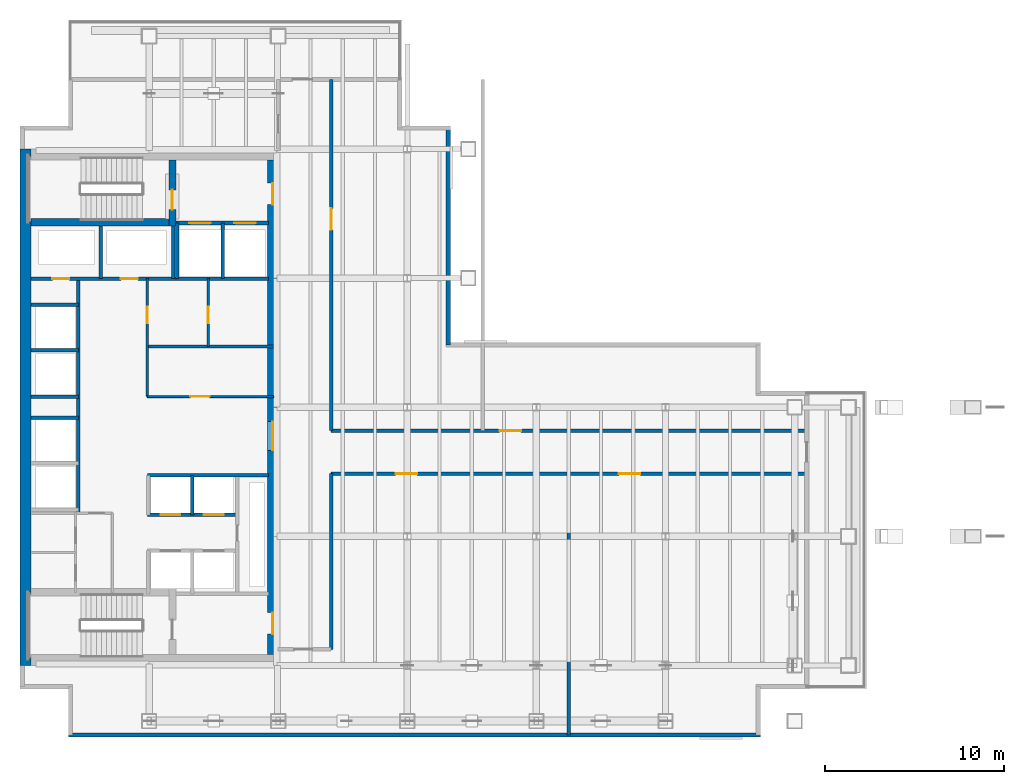
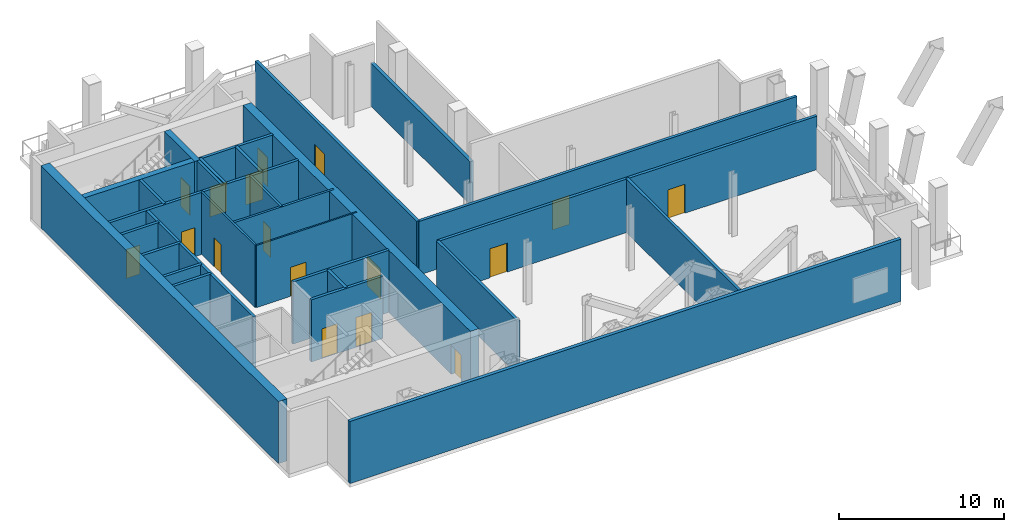
# One storey, part 5 of 8: 30 walls, 17 doors, 17 openings.
"""IFC4 building model written with IfcOpenShell, lengths in metres."""

from ifc_helpers import new_model, si_unit, direction, frame, frame_2d, origin, place, context, subcontext, project, spatial, rectangle, extrude, material, layer, layer_set, type_object, element, fill, save


model = new_model("IFC4")

# Units and contexts
model_context = context("Model", 3, precision=1e-05, world=origin(), true_north=direction((0.0, 1.0)))
body_context = subcontext(model_context, "Body", "Model", "MODEL_VIEW")
ifc_project = project(units=[si_unit("LENGTHUNIT", "METRE"), si_unit("AREAUNIT", "SQUARE_METRE"), si_unit("VOLUMEUNIT", "CUBIC_METRE"), si_unit("PLANEANGLEUNIT", "RADIAN"), si_unit("MASSUNIT", "GRAM", prefix="KILO")], contexts=[model_context])

# Site, building, storey
site_placement = place(None, origin())
site = spatial("IfcSite", under=ifc_project, at=site_placement, CompositionType="ELEMENT")
building_placement = place(site_placement, origin())
building = spatial("IfcBuilding", under=site, at=building_placement, Name="Cobrela Telecom Tower", CompositionType="ELEMENT")
storey_placement = place(building_placement, frame((0.0, 0.0, 163.800048828125)))
storey = spatial("IfcBuildingStorey", under=building, at=storey_placement, Name="L41", CompositionType="ELEMENT", Elevation=163.800048828125)

# Wall
ifc_material_1 = material(Name="Concrete C50/60", Category="concrete")
ifc_layer_1 = layer(ifc_material_1, 0.60009765625)
ifc_layer_set_1 = layer_set([ifc_layer_1], Name="Concrete C50/60")
wall_type_1 = type_object("IfcWallType", Name="WALL-CORE-C50-600", PredefinedType="SHEAR", material=ifc_layer_set_1)
wall_1_placement = place(storey_placement, frame((0.300048828125, 7.199951171875, 0.0), z_axis=(0.0, 0.0, 1.0), x_axis=(0.0, 1.0, 0.0)))
element("IfcWall", 1, at=wall_1_placement, inside=storey, type_object=wall_type_1, Name="L41 West Core Shear Wall", PredefinedType="SHEAR", context=body_context, shape_type="SweptSolid", body=[
    extrude(rectangle(XDim=28.800048828125, YDim=0.60009765625, at=frame_2d((14.39990234375, 0.0))), origin(), (0.0, 0.0, 1.0), 4.599853515625),
])

# Wall, openings, doors
wall_2_placement = place(storey_placement, frame((14.10009765625, 35.39990234375, 0.0), z_axis=(0.0, 0.0, 1.0), x_axis=(0.0, -1.0, 0.0)))
wall_2 = element("IfcWall", 2, at=wall_2_placement, inside=storey, type_object=wall_type_1, Name="L41 East Core Shear Wall", PredefinedType="SHEAR", context=body_context, shape_type="SweptSolid", body=[
    extrude(rectangle(XDim=27.599853515625, YDim=0.60009765625, at=frame_2d((13.7998046875, 0.0))), origin(), (0.0, 0.0, 1.0), 4.599853515625),
])
opening_1_placement = place(wall_2_placement, frame((1.300048828125, 0.0, 0.0)))
opening_1 = element("IfcOpeningElement", 3, at=opening_1_placement, cuts=wall_2, Name="Opening DR-19", PredefinedType="OPENING", context=body_context, shape_type="SweptSolid", body=[
    extrude(rectangle(XDim=1.199951171875, YDim=2.14990234375, at=frame_2d((0.60009765625, 1.074951171875))), frame((0.0, 0.31201171875, 0.0), z_axis=(0.0, -1.0, 0.0), x_axis=(1.0, 0.0, 0.0)), (0.0, 0.0, 1.0), 0.6240234375),
])
opening_2_placement = place(wall_2_placement, frame((25.25, 0.0, 0.0)))
opening_2 = element("IfcOpeningElement", 4, at=opening_2_placement, cuts=wall_2, Name="Opening DR-19", PredefinedType="OPENING", context=body_context, shape_type="SweptSolid", body=[
    extrude(rectangle(XDim=1.199951171875, YDim=2.14990234375, at=frame_2d((0.60009765625, 1.074951171875))), frame((0.0, 0.31201171875, 0.0), z_axis=(0.0, -1.0, 0.0), x_axis=(1.0, 0.0, 0.0)), (0.0, 0.0, 1.0), 0.6240234375),
])
opening_3_placement = place(wall_2_placement, frame((14.60009765625, 0.0, 0.0)))
opening_3 = element("IfcOpeningElement", 5, at=opening_3_placement, cuts=wall_2, Name="Opening DR-51", PredefinedType="OPENING", context=body_context, shape_type="SweptSolid", body=[
    extrude(rectangle(XDim=1.60009765625, YDim=2.199951171875, at=frame_2d((0.800048828125, 1.10009765625))), frame((0.0, 0.31201171875, 0.0), z_axis=(0.0, -1.0, 0.0), x_axis=(1.0, 0.0, 0.0)), (0.0, 0.0, 1.0), 0.6240234375),
])
ifc_material_2 = material(Name="Steel ASTM A36", Category="steel")
door_type_1 = type_object("IfcDoorType", Name="DOOR-FD60-1200", OperationType="SINGLE_SWING_LEFT", PredefinedType="DOOR", material=ifc_material_2)
door_1_placement = place(opening_1_placement, origin())
door_1 = element("IfcDoor", 6, at=door_1_placement, inside=storey, type_object=door_type_1, Name="L41 Door DR-19", OperationType="SINGLE_SWING_LEFT", OverallHeight=2.14990234375, OverallWidth=1.199951171875, PredefinedType="DOOR", context=body_context, shape_type="SweptSolid", body=[
    extrude(rectangle(XDim=1.199951171875, YDim=2.14990234375, at=frame_2d((0.60009765625, 1.074951171875))), frame((0.0, 0.02490234375, 0.0), z_axis=(0.0, -1.0, 0.0), x_axis=(1.0, 0.0, 0.0)), (0.0, 0.0, 1.0), 0.050048828125),
])
fill(opening_1, door_1)
door_2_placement = place(opening_2_placement, origin())
door_2 = element("IfcDoor", 7, at=door_2_placement, inside=storey, type_object=door_type_1, Name="L41 Door DR-19", OperationType="SINGLE_SWING_RIGHT", OverallHeight=2.14990234375, OverallWidth=1.199951171875, PredefinedType="DOOR", context=body_context, shape_type="SweptSolid", body=[
    extrude(rectangle(XDim=1.199951171875, YDim=2.14990234375, at=frame_2d((0.60009765625, 1.074951171875))), frame((0.0, 0.02490234375, 0.0), z_axis=(0.0, -1.0, 0.0), x_axis=(1.0, 0.0, 0.0)), (0.0, 0.0, 1.0), 0.050048828125),
])
fill(opening_2, door_2)
door_type_2 = type_object("IfcDoorType", Name="DOOR-FD60-1600", OperationType="SINGLE_SWING_LEFT", PredefinedType="DOOR", material=ifc_material_2)
door_3_placement = place(opening_3_placement, origin())
door_3 = element("IfcDoor", 8, at=door_3_placement, inside=storey, type_object=door_type_2, Name="L41 Door DR-51", OperationType="DOUBLE_DOOR_SINGLE_SWING", OverallHeight=2.199951171875, OverallWidth=1.60009765625, PredefinedType="DOOR", context=body_context, shape_type="SweptSolid", body=[
    extrude(rectangle(XDim=1.60009765625, YDim=2.199951171875, at=frame_2d((0.800048828125, 1.10009765625))), frame((0.0, 0.02490234375, 0.0), z_axis=(0.0, -1.0, 0.0), x_axis=(1.0, 0.0, 0.0)), (0.0, 0.0, 1.0), 0.050048828125),
])
fill(opening_3, door_3)

# Walls
ifc_material_3 = material(Name="Concrete C40/50", Category="concrete")
ifc_layer_2 = layer(ifc_material_3, 0.239990234375)
ifc_layer_set_2 = layer_set([ifc_layer_2], Name="Concrete C40/50")
wall_type_2 = type_object("IfcWallType", Name="WALL-EXT-300", PredefinedType="STANDARD", material=ifc_layer_set_2)
wall_3_placement = place(storey_placement, frame((23.8798828125, 37.179931640625, 0.0), z_axis=(0.0, 0.0, 1.0), x_axis=(0.0, -1.0, 0.0)))
element("IfcWall", 9, at=wall_3_placement, inside=storey, type_object=wall_type_2, Name="L41 Plant Acoustic Exterior Wall 10", PredefinedType="STANDARD", context=body_context, shape_type="SweptSolid", body=[
    extrude(rectangle(XDim=12.099853515625, YDim=0.239990234375, at=frame_2d((6.0498046875, 0.0))), origin(), (0.0, 0.0, 1.0), 3.18505859375),
])
wall_4_placement = place(storey_placement, frame((41.300048828125, 3.320068359375, 0.0), z_axis=(0.0, 0.0, 1.0), x_axis=(-1.0, 0.0, 0.0)))
element("IfcWall", 10, at=wall_4_placement, inside=storey, type_object=wall_type_2, Name="L41 Plant Acoustic Exterior Wall 17", PredefinedType="STANDARD", context=body_context, shape_type="SweptSolid", body=[
    extrude(rectangle(XDim=38.60009765625, YDim=0.239990234375, at=frame_2d((19.300048828125, 0.0))), origin(), (0.0, 0.0, 1.0), 4.599853515625),
])

# Wall, opening, door
ifc_material_4 = material(Name="Fire-Rated Gypsum Plasterboard")
ifc_layer_3 = layer(ifc_material_4, 0.110107421875)
ifc_layer_set_3 = layer_set([ifc_layer_3], Name="Fire-Rated Gypsum Plasterboard")
wall_type_3 = type_object("IfcWallType", Name="WALL-PART-110", PredefinedType="PARTITIONING", material=ifc_layer_set_3)
wall_5_placement = place(storey_placement, frame((7.10009765625, 22.199951171875, 0.0), z_axis=(0.0, 0.0, 1.0), x_axis=(1.0, 0.0, 0.0)))
wall_5 = element("IfcWall", 11, at=wall_5_placement, inside=storey, type_object=wall_type_3, Name="L41 Interior Partition CW-RECL-S", PredefinedType="PARTITIONING", context=body_context, shape_type="SweptSolid", body=[
    extrude(rectangle(XDim=7.0498046875, YDim=0.110107421875, at=frame_2d((3.52490234375, 0.0))), origin(), (0.0, 0.0, 1.0), 4.599853515625),
])
opening_4_placement = place(wall_5_placement, frame((2.39990234375, 0.0, 0.0)))
opening_4 = element("IfcOpeningElement", 12, at=opening_4_placement, cuts=wall_5, Name="Opening DR-63", PredefinedType="OPENING", context=body_context, shape_type="SweptSolid", body=[
    extrude(rectangle(XDim=1.080078125, YDim=2.14990234375, at=frame_2d((0.5400390625, 1.074951171875))), frame((0.0, 0.06689453125, 0.0), z_axis=(0.0, -1.0, 0.0), x_axis=(1.0, 0.0, 0.0)), (0.0, 0.0, 1.0), 0.134033203125),
])
ifc_material_5 = material(Name="Solid Engineered Oak Timber", Category="wood")
door_type_3 = type_object("IfcDoorType", Name="DOOR-INT-1080", OperationType="SINGLE_SWING_LEFT", PredefinedType="DOOR", material=ifc_material_5)
door_4_placement = place(opening_4_placement, origin())
door_4 = element("IfcDoor", 13, at=door_4_placement, inside=storey, type_object=door_type_3, Name="L41 Door DR-63", OperationType="SINGLE_SWING_LEFT", OverallHeight=2.14990234375, OverallWidth=1.080078125, PredefinedType="DOOR", context=body_context, shape_type="SweptSolid", body=[
    extrude(rectangle(XDim=1.080078125, YDim=2.14990234375, at=frame_2d((0.5400390625, 1.074951171875))), frame((0.0, 0.02490234375, 0.0), z_axis=(0.0, -1.0, 0.0), x_axis=(1.0, 0.0, 0.0)), (0.0, 0.0, 1.0), 0.050048828125),
])
fill(opening_4, door_4)

ifc_layer_4 = layer(ifc_material_4, 0.135009765625)
ifc_layer_set_4 = layer_set([ifc_layer_4], Name="Fire-Rated Gypsum Plasterboard")
wall_type_4 = type_object("IfcWallType", Name="WALL-PART-135", PredefinedType="PARTITIONING", material=ifc_layer_set_4)
wall_6_placement = place(storey_placement, frame((7.10009765625, 22.199951171875, 0.0), z_axis=(0.0, 0.0, 1.0), x_axis=(0.0, 1.0, 0.0)))
wall_6 = element("IfcWall", 14, at=wall_6_placement, inside=storey, type_object=wall_type_4, Name="L41 Interior Partition CW-RECL-W", PredefinedType="PARTITIONING", context=body_context, shape_type="SweptSolid", body=[
    extrude(rectangle(XDim=6.580078125, YDim=0.135009765625, at=frame_2d((3.2900390625, 0.0))), origin(), (0.0, 0.0, 1.0), 4.599853515625),
])
opening_5_placement = place(wall_6_placement, frame((4.10009765625, 0.0, 0.0)))
opening_5 = element("IfcOpeningElement", 15, at=opening_5_placement, cuts=wall_6, Name="Opening DR-41", PredefinedType="OPENING", context=body_context, shape_type="SweptSolid", body=[
    extrude(rectangle(XDim=0.89990234375, YDim=2.14990234375, at=frame_2d((0.449951171875, 1.074951171875))), frame((0.0, 0.07958984375, 0.0), z_axis=(0.0, -1.0, 0.0), x_axis=(1.0, 0.0, 0.0)), (0.0, 0.0, 1.0), 0.158935546875),
])
door_type_4 = type_object("IfcDoorType", Name="DOOR-INT-900", OperationType="SINGLE_SWING_LEFT", PredefinedType="DOOR", material=ifc_material_5)
door_5_placement = place(opening_5_placement, origin())
door_5 = element("IfcDoor", 16, at=door_5_placement, inside=storey, type_object=door_type_4, Name="L41 Door DR-41", OperationType="SINGLE_SWING_RIGHT", OverallHeight=2.14990234375, OverallWidth=0.89990234375, PredefinedType="DOOR", context=body_context, shape_type="SweptSolid", body=[
    extrude(rectangle(XDim=0.89990234375, YDim=2.14990234375, at=frame_2d((0.449951171875, 1.074951171875))), frame((0.0, 0.02490234375, 0.0), z_axis=(0.0, -1.0, 0.0), x_axis=(1.0, 0.0, 0.0)), (0.0, 0.0, 1.0), 0.050048828125),
])
fill(opening_5, door_5)

ifc_layer_5 = layer(ifc_material_4, 0.14990234375)
ifc_layer_set_5 = layer_set([ifc_layer_5], Name="Fire-Rated Gypsum Plasterboard")
wall_type_5 = type_object("IfcWallType", Name="WALL-PART-150", PredefinedType="PARTITIONING", material=ifc_layer_set_5)
wall_7_placement = place(storey_placement, frame((10.5, 25.0, 0.0), z_axis=(0.0, 0.0, 1.0), x_axis=(0.0, 1.0, 0.0)))
wall_7 = element("IfcWall", 17, at=wall_7_placement, inside=storey, type_object=wall_type_5, Name="L41 Interior Partition CW-RECL-VN", PredefinedType="PARTITIONING", context=body_context, shape_type="SweptSolid", body=[
    extrude(rectangle(XDim=3.780029296875, YDim=0.14990234375, at=frame_2d((1.89013671875, 0.0))), origin(), (0.0, 0.0, 1.0), 4.599853515625),
])
opening_6_placement = place(wall_7_placement, frame((1.300048828125, 0.0, 0.0)))
opening_6 = element("IfcOpeningElement", 18, at=opening_6_placement, cuts=wall_7, Name="Opening DR-41", PredefinedType="OPENING", context=body_context, shape_type="SweptSolid", body=[
    extrude(rectangle(XDim=0.89990234375, YDim=2.14990234375, at=frame_2d((0.449951171875, 1.074951171875))), frame((0.0, 0.0869140625, 0.0), z_axis=(0.0, -1.0, 0.0), x_axis=(1.0, 0.0, 0.0)), (0.0, 0.0, 1.0), 0.173828125),
])
door_6_placement = place(opening_6_placement, origin())
door_6 = element("IfcDoor", 19, at=door_6_placement, inside=storey, type_object=door_type_4, Name="L41 Door DR-41", OperationType="SINGLE_SWING_LEFT", OverallHeight=2.14990234375, OverallWidth=0.89990234375, PredefinedType="DOOR", context=body_context, shape_type="SweptSolid", body=[
    extrude(rectangle(XDim=0.89990234375, YDim=2.14990234375, at=frame_2d((0.449951171875, 1.074951171875))), frame((0.0, 0.02490234375, 0.0), z_axis=(0.0, -1.0, 0.0), x_axis=(1.0, 0.0, 0.0)), (0.0, 0.0, 1.0), 0.050048828125),
])
fill(opening_6, door_6)

# Wall
ifc_layer_6 = layer(ifc_material_4, 0.159912109375)
ifc_layer_set_6 = layer_set([ifc_layer_6], Name="Fire-Rated Gypsum Plasterboard")
wall_type_6 = type_object("IfcWallType", Name="WALL-PART-160", PredefinedType="PARTITIONING", material=ifc_layer_set_6)
wall_8_placement = place(storey_placement, frame((7.10009765625, 25.0, 0.0), z_axis=(0.0, 0.0, 1.0), x_axis=(1.0, 0.0, 0.0)))
element("IfcWall", 20, at=wall_8_placement, inside=storey, type_object=wall_type_6, Name="L41 Interior Partition CW-RECL-H", PredefinedType="PARTITIONING", context=body_context, shape_type="SweptSolid", body=[
    extrude(rectangle(XDim=7.0498046875, YDim=0.159912109375, at=frame_2d((3.52490234375, 0.0))), origin(), (0.0, 0.0, 1.0), 4.599853515625),
])

# Wall, openings, doors
ifc_layer_7 = layer(ifc_material_4, 0.199951171875)
ifc_layer_set_7 = layer_set([ifc_layer_7], Name="Fire-Rated Gypsum Plasterboard")
wall_type_7 = type_object("IfcWallType", Name="WALL-SHAFT-200", PredefinedType="PARTITIONING", material=ifc_layer_set_7)
wall_9_placement = place(storey_placement, frame((8.699951171875, 31.8798828125, 0.0), z_axis=(0.0, 0.0, 1.0), x_axis=(1.0, 0.0, 0.0)))
wall_9 = element("IfcWall", 21, at=wall_9_placement, inside=storey, type_object=wall_type_7, Name="L41 Shaft Enclosure CW-FFL-S", PredefinedType="PARTITIONING", context=body_context, shape_type="SweptSolid", body=[
    extrude(rectangle(XDim=5.150146484375, YDim=0.199951171875, at=frame_2d((2.5751953125, 0.0))), origin(), (0.0, 0.0, 1.0), 4.599853515625),
])
opening_7_placement = place(wall_9_placement, frame((0.75, 0.0, 0.0)))
opening_7 = element("IfcOpeningElement", 22, at=opening_7_placement, cuts=wall_9, Name="Opening LD-2", PredefinedType="OPENING", context=body_context, shape_type="SweptSolid", body=[
    extrude(rectangle(XDim=1.199951171875, YDim=2.199951171875, at=frame_2d((0.60009765625, 1.10009765625))), frame((0.0, 0.11181640625, 0.0), z_axis=(0.0, -1.0, 0.0), x_axis=(1.0, 0.0, 0.0)), (0.0, 0.0, 1.0), 0.223876953125),
])
opening_8_placement = place(wall_9_placement, frame((3.25, 0.0, 0.0)))
opening_8 = element("IfcOpeningElement", 23, at=opening_8_placement, cuts=wall_9, Name="Opening LD-2", PredefinedType="OPENING", context=body_context, shape_type="SweptSolid", body=[
    extrude(rectangle(XDim=1.199951171875, YDim=2.199951171875, at=frame_2d((0.60009765625, 1.10009765625))), frame((0.0, 0.11181640625, 0.0), z_axis=(0.0, -1.0, 0.0), x_axis=(1.0, 0.0, 0.0)), (0.0, 0.0, 1.0), 0.223876953125),
])
door_type_5 = type_object("IfcDoorType", Name="DOOR-LD-FFL", OperationType="SINGLE_SWING_LEFT", PredefinedType="DOOR", material=ifc_material_2)
door_7_placement = place(opening_7_placement, origin())
door_7 = element("IfcDoor", 24, at=door_7_placement, inside=storey, type_object=door_type_5, Name="L41 Lift Landing Door LD-2", OperationType="DOUBLE_DOOR_SLIDING", OverallHeight=2.199951171875, OverallWidth=1.199951171875, PredefinedType="DOOR", context=body_context, shape_type="SweptSolid", body=[
    extrude(rectangle(XDim=1.199951171875, YDim=2.199951171875, at=frame_2d((0.60009765625, 1.10009765625))), frame((0.0, 0.02490234375, 0.0), z_axis=(0.0, -1.0, 0.0), x_axis=(1.0, 0.0, 0.0)), (0.0, 0.0, 1.0), 0.050048828125),
])
fill(opening_7, door_7)
door_8_placement = place(opening_8_placement, origin())
door_8 = element("IfcDoor", 25, at=door_8_placement, inside=storey, type_object=door_type_5, Name="L41 Lift Landing Door LD-2", OperationType="DOUBLE_DOOR_SLIDING", OverallHeight=2.199951171875, OverallWidth=1.199951171875, PredefinedType="DOOR", context=body_context, shape_type="SweptSolid", body=[
    extrude(rectangle(XDim=1.199951171875, YDim=2.199951171875, at=frame_2d((0.60009765625, 1.10009765625))), frame((0.0, 0.02490234375, 0.0), z_axis=(0.0, -1.0, 0.0), x_axis=(1.0, 0.0, 0.0)), (0.0, 0.0, 1.0), 0.050048828125),
])
fill(opening_8, door_8)

# Walls
wall_10_placement = place(storey_placement, frame((8.699951171875, 28.780029296875, 0.0), z_axis=(0.0, 0.0, 1.0), x_axis=(1.0, 0.0, 0.0)))
element("IfcWall", 26, at=wall_10_placement, inside=storey, type_object=wall_type_7, Name="L41 Shaft Enclosure CW-FFL-S2", PredefinedType="PARTITIONING", context=body_context, shape_type="SweptSolid", body=[
    extrude(rectangle(XDim=5.150146484375, YDim=0.199951171875, at=frame_2d((2.5751953125, 0.0))), origin(), (0.0, 0.0, 1.0), 4.599853515625),
])
for number, where, z_axis, x_axis, name in (
    (27, (8.780029296875, 28.780029296875, 0.0), (0.0, 0.0, 1.0), (0.0, 1.0, 0.0), "L41 Shaft Enclosure CW-FFL-W"),
    (28, (11.300048828125, 28.780029296875, 0.0), (0.0, 0.0, 1.0), (0.0, 1.0, 0.0), "L41 Shaft Enclosure CW-FFL-M"),
):
    element("IfcWall", number, at=place(storey_placement, frame(where, z_axis=z_axis, x_axis=x_axis)), inside=storey, type_object=wall_type_7, Name=name, PredefinedType="PARTITIONING", context=body_context, shape_type="SweptSolid", body=[
        extrude(rectangle(XDim=3.099853515625, YDim=0.199951171875, at=frame_2d((1.5498046875, 0.0))), origin(), (0.0, 0.0, 1.0), 4.599853515625),
    ])

# Wall, openings, doors
wall_11_placement = place(storey_placement, frame((0.60009765625, 28.780029296875, 0.0), z_axis=(0.0, 0.0, 1.0), x_axis=(1.0, 0.0, 0.0)))
wall_11 = element("IfcWall", 29, at=wall_11_placement, inside=storey, type_object=wall_type_7, Name="L41 Shaft Enclosure CW-RIS-S", PredefinedType="PARTITIONING", context=body_context, shape_type="SweptSolid", body=[
    extrude(rectangle(XDim=8.179931640625, YDim=0.199951171875, at=frame_2d((4.08984375, 0.0))), origin(), (0.0, 0.0, 1.0), 4.599853515625),
])
opening_9_placement = place(wall_11_placement, frame((1.2099609375, 0.0, 0.0)))
opening_9 = element("IfcOpeningElement", 30, at=opening_9_placement, cuts=wall_11, Name="Opening DR-65", PredefinedType="OPENING", context=body_context, shape_type="SweptSolid", body=[
    extrude(rectangle(XDim=0.949951171875, YDim=2.14990234375, at=frame_2d((0.47509765625, 1.074951171875))), frame((0.0, 0.11181640625, 0.0), z_axis=(0.0, -1.0, 0.0), x_axis=(1.0, 0.0, 0.0)), (0.0, 0.0, 1.0), 0.223876953125),
])
opening_10_placement = place(wall_11_placement, frame((5.030029296875, 0.0, 0.0)))
opening_10 = element("IfcOpeningElement", 31, at=opening_10_placement, cuts=wall_11, Name="Opening DR-65", PredefinedType="OPENING", context=body_context, shape_type="SweptSolid", body=[
    extrude(rectangle(XDim=0.949951171875, YDim=2.14990234375, at=frame_2d((0.47509765625, 1.074951171875))), frame((0.0, 0.11181640625, 0.0), z_axis=(0.0, -1.0, 0.0), x_axis=(1.0, 0.0, 0.0)), (0.0, 0.0, 1.0), 0.223876953125),
])
door_type_6 = type_object("IfcDoorType", Name="DOOR-FD60-950", OperationType="SINGLE_SWING_LEFT", PredefinedType="DOOR", material=ifc_material_2)
door_9_placement = place(opening_9_placement, origin())
door_9 = element("IfcDoor", 32, at=door_9_placement, inside=storey, type_object=door_type_6, Name="L41 Door DR-65", OperationType="SINGLE_SWING_LEFT", OverallHeight=2.14990234375, OverallWidth=0.949951171875, PredefinedType="DOOR", context=body_context, shape_type="SweptSolid", body=[
    extrude(rectangle(XDim=0.949951171875, YDim=2.14990234375, at=frame_2d((0.47509765625, 1.074951171875))), frame((0.0, 0.02490234375, 0.0), z_axis=(0.0, -1.0, 0.0), x_axis=(1.0, 0.0, 0.0)), (0.0, 0.0, 1.0), 0.050048828125),
])
fill(opening_9, door_9)
door_10_placement = place(opening_10_placement, origin())
door_10 = element("IfcDoor", 33, at=door_10_placement, inside=storey, type_object=door_type_6, Name="L41 Door DR-65", OperationType="SINGLE_SWING_RIGHT", OverallHeight=2.14990234375, OverallWidth=0.949951171875, PredefinedType="DOOR", context=body_context, shape_type="SweptSolid", body=[
    extrude(rectangle(XDim=0.949951171875, YDim=2.14990234375, at=frame_2d((0.47509765625, 1.074951171875))), frame((0.0, 0.02490234375, 0.0), z_axis=(0.0, -1.0, 0.0), x_axis=(1.0, 0.0, 0.0)), (0.0, 0.0, 1.0), 0.050048828125),
])
fill(opening_10, door_10)

# Walls
for number, where, z_axis, x_axis, name in (
    (34, (4.5, 28.780029296875, 0.0), (0.0, 0.0, 1.0), (0.0, 1.0, 0.0), "L41 Shaft Enclosure CW-RIS-M"),
    (35, (8.550048828125, 28.780029296875, 0.0), (0.0, 0.0, 1.0), (0.0, 1.0, 0.0), "L41 Shaft Enclosure CW-RIS-E"),
):
    element("IfcWall", number, at=place(storey_placement, frame(where, z_axis=z_axis, x_axis=x_axis)), inside=storey, type_object=wall_type_7, Name=name, PredefinedType="PARTITIONING", context=body_context, shape_type="SweptSolid", body=[
        extrude(rectangle(XDim=2.93994140625, YDim=0.199951171875, at=frame_2d((1.469970703125, 0.0))), origin(), (0.0, 0.0, 1.0), 4.599853515625),
    ])
wall_12_placement = place(storey_placement, frame((3.25, 15.699951171875, 0.0), z_axis=(0.0, 0.0, 1.0), x_axis=(0.0, 1.0, 0.0)))
element("IfcWall", 36, at=wall_12_placement, inside=storey, type_object=wall_type_7, Name="L41 Shaft Enclosure CW-PLH-E", PredefinedType="PARTITIONING", context=body_context, shape_type="SweptSolid", body=[
    extrude(rectangle(XDim=13.080078125, YDim=0.199951171875, at=frame_2d((6.5400390625, 0.0))), origin(), (0.0, 0.0, 1.0), 4.599853515625),
])
for number, where, z_axis, x_axis, name in (
    (37, (0.60009765625, 22.179931640625, 0.0), (0.0, 0.0, 1.0), (1.0, 0.0, 0.0), "L41 Shaft Enclosure CW-PLH-D11"),
    (38, (0.60009765625, 24.780029296875, 0.0), (0.0, 0.0, 1.0), (1.0, 0.0, 0.0), "L41 Shaft Enclosure CW-PLH-D12"),
    (39, (0.60009765625, 21.02001953125, 0.0), (0.0, 0.0, 1.0), (1.0, 0.0, 0.0), "L41 Shaft Enclosure CW-PLH-MID"),
    (40, (0.60009765625, 27.320068359375, 0.0), (0.0, 0.0, 1.0), (1.0, 0.0, 0.0), "L41 Shaft Enclosure CW-PLH-TOP"),
):
    element("IfcWall", number, at=place(storey_placement, frame(where, z_axis=z_axis, x_axis=x_axis)), inside=storey, type_object=wall_type_7, Name=name, PredefinedType="PARTITIONING", context=body_context, shape_type="SweptSolid", body=[
        extrude(rectangle(XDim=2.64990234375, YDim=0.199951171875, at=frame_2d((1.324951171875, 0.0))), origin(), (0.0, 0.0, 1.0), 4.599853515625),
    ])
wall_13_placement = place(storey_placement, frame((7.10009765625, 17.800048828125, 0.0), z_axis=(0.0, 0.0, 1.0), x_axis=(1.0, 0.0, 0.0)))
element("IfcWall", 41, at=wall_13_placement, inside=storey, type_object=wall_type_7, Name="L41 Shaft Enclosure CW-PLM-T0", PredefinedType="PARTITIONING", context=body_context, shape_type="SweptSolid", body=[
    extrude(rectangle(XDim=6.75, YDim=0.199951171875, at=frame_2d((3.375, 0.0))), origin(), (0.0, 0.0, 1.0), 4.599853515625),
])

# Wall, openings, doors
wall_14_placement = place(storey_placement, frame((7.10009765625, 15.60009765625, 0.0), z_axis=(0.0, 0.0, 1.0), x_axis=(1.0, 0.0, 0.0)))
wall_14 = element("IfcWall", 42, at=wall_14_placement, inside=storey, type_object=wall_type_7, Name="L41 Shaft Enclosure CW-PLM-N", PredefinedType="PARTITIONING", context=body_context, shape_type="SweptSolid", body=[
    extrude(rectangle(XDim=5.02001953125, YDim=0.199951171875, at=frame_2d((2.510009765625, 0.0))), origin(), (0.0, 0.0, 1.0), 4.599853515625),
])
opening_11_placement = place(wall_14_placement, frame((0.75, 0.0, 0.0)))
opening_11 = element("IfcOpeningElement", 43, at=opening_11_placement, cuts=wall_14, Name="Opening LD-1", PredefinedType="OPENING", context=body_context, shape_type="SweptSolid", body=[
    extrude(rectangle(XDim=1.10009765625, YDim=2.199951171875, at=frame_2d((0.550048828125, 1.10009765625))), frame((0.0, 0.11181640625, 0.0), z_axis=(0.0, -1.0, 0.0), x_axis=(1.0, 0.0, 0.0)), (0.0, 0.0, 1.0), 0.223876953125),
])
opening_12_placement = place(wall_14_placement, frame((3.14990234375, 0.0, 0.0)))
opening_12 = element("IfcOpeningElement", 44, at=opening_12_placement, cuts=wall_14, Name="Opening LD-1", PredefinedType="OPENING", context=body_context, shape_type="SweptSolid", body=[
    extrude(rectangle(XDim=1.10009765625, YDim=2.199951171875, at=frame_2d((0.550048828125, 1.10009765625))), frame((0.0, 0.11181640625, 0.0), z_axis=(0.0, -1.0, 0.0), x_axis=(1.0, 0.0, 0.0)), (0.0, 0.0, 1.0), 0.223876953125),
])
door_type_7 = type_object("IfcDoorType", Name="DOOR-LD-PL", OperationType="SINGLE_SWING_LEFT", PredefinedType="DOOR", material=ifc_material_2)
door_11_placement = place(opening_11_placement, origin())
door_11 = element("IfcDoor", 45, at=door_11_placement, inside=storey, type_object=door_type_7, Name="L41 Lift Landing Door LD-1", OperationType="DOUBLE_DOOR_SLIDING", OverallHeight=2.199951171875, OverallWidth=1.10009765625, PredefinedType="DOOR", context=body_context, shape_type="SweptSolid", body=[
    extrude(rectangle(XDim=1.10009765625, YDim=2.199951171875, at=frame_2d((0.550048828125, 1.10009765625))), frame((0.0, 0.02490234375, 0.0), z_axis=(0.0, -1.0, 0.0), x_axis=(1.0, 0.0, 0.0)), (0.0, 0.0, 1.0), 0.050048828125),
])
fill(opening_11, door_11)
door_12_placement = place(opening_12_placement, origin())
door_12 = element("IfcDoor", 46, at=door_12_placement, inside=storey, type_object=door_type_7, Name="L41 Lift Landing Door LD-1", OperationType="DOUBLE_DOOR_SLIDING", OverallHeight=2.199951171875, OverallWidth=1.10009765625, PredefinedType="DOOR", context=body_context, shape_type="SweptSolid", body=[
    extrude(rectangle(XDim=1.10009765625, YDim=2.199951171875, at=frame_2d((0.550048828125, 1.10009765625))), frame((0.0, 0.02490234375, 0.0), z_axis=(0.0, -1.0, 0.0), x_axis=(1.0, 0.0, 0.0)), (0.0, 0.0, 1.0), 0.050048828125),
])
fill(opening_12, door_12)

# Walls
wall_15_placement = place(storey_placement, frame((9.60009765625, 15.60009765625, 0.0), z_axis=(0.0, 0.0, 1.0), x_axis=(0.0, 1.0, 0.0)))
element("IfcWall", 47, at=wall_15_placement, inside=storey, type_object=wall_type_7, Name="L41 Shaft Enclosure CW-PLM-V2", PredefinedType="PARTITIONING", context=body_context, shape_type="SweptSolid", body=[
    extrude(rectangle(XDim=2.199951171875, YDim=0.199951171875, at=frame_2d((1.10009765625, 0.0))), origin(), (0.0, 0.0, 1.0), 4.599853515625),
])
wall_16_placement = place(storey_placement, frame((17.35009765625, 8.10009765625, 0.0), z_axis=(0.0, 0.0, 1.0), x_axis=(0.0, 1.0, 0.0)))
element("IfcWall", 48, at=wall_16_placement, inside=storey, type_object=wall_type_7, Name="L41 Shaft Enclosure W-MP-E1", PredefinedType="PARTITIONING", context=body_context, shape_type="SweptSolid", body=[
    extrude(rectangle(XDim=9.7998046875, YDim=0.199951171875, at=frame_2d((4.89990234375, 0.0))), origin(), (0.0, 0.0, 1.0), 3.962890625),
])

# Wall, opening, door
wall_17_placement = place(storey_placement, frame((17.35009765625, 20.300048828125, 0.0), z_axis=(0.0, 0.0, 1.0), x_axis=(0.0, 1.0, 0.0)))
wall_17 = element("IfcWall", 49, at=wall_17_placement, inside=storey, type_object=wall_type_7, Name="L41 Shaft Enclosure W-MP-E2", PredefinedType="PARTITIONING", context=body_context, shape_type="SweptSolid", body=[
    extrude(rectangle(XDim=19.579833984375, YDim=0.199951171875, at=frame_2d((9.7900390625, 0.0))), origin(), (0.0, 0.0, 1.0), 3.962890625),
])
opening_13_placement = place(wall_17_placement, frame((11.199951171875, 0.0, 0.0)))
opening_13 = element("IfcOpeningElement", 50, at=opening_13_placement, cuts=wall_17, Name="Opening DR-19", PredefinedType="OPENING", context=body_context, shape_type="SweptSolid", body=[
    extrude(rectangle(XDim=1.199951171875, YDim=2.14990234375, at=frame_2d((0.60009765625, 1.074951171875))), frame((0.0, 0.11181640625, 0.0), z_axis=(0.0, -1.0, 0.0), x_axis=(1.0, 0.0, 0.0)), (0.0, 0.0, 1.0), 0.223876953125),
])
door_13_placement = place(opening_13_placement, origin())
door_13 = element("IfcDoor", 51, at=door_13_placement, inside=storey, type_object=door_type_1, Name="L41 Door DR-19", OperationType="SINGLE_SWING_LEFT", OverallHeight=2.14990234375, OverallWidth=1.199951171875, PredefinedType="DOOR", context=body_context, shape_type="SweptSolid", body=[
    extrude(rectangle(XDim=1.199951171875, YDim=2.14990234375, at=frame_2d((0.60009765625, 1.074951171875))), frame((0.0, 0.02490234375, 0.0), z_axis=(0.0, -1.0, 0.0), x_axis=(1.0, 0.0, 0.0)), (0.0, 0.0, 1.0), 0.050048828125),
])
fill(opening_13, door_13)

# Wall, openings, doors
wall_18_placement = place(storey_placement, frame((17.35009765625, 17.89990234375, 0.0), z_axis=(0.0, 0.0, 1.0), x_axis=(1.0, 0.0, 0.0)))
wall_18 = element("IfcWall", 52, at=wall_18_placement, inside=storey, type_object=wall_type_7, Name="L41 Shaft Enclosure W-MP-HS", PredefinedType="PARTITIONING", context=body_context, shape_type="SweptSolid", body=[
    extrude(rectangle(XDim=26.489990234375, YDim=0.199951171875, at=frame_2d((13.2451171875, 0.0))), origin(), (0.0, 0.0, 1.0), 3.962890625),
])
opening_14_placement = place(wall_18_placement, frame((3.60009765625, 0.0, 0.0)))
opening_14 = element("IfcOpeningElement", 53, at=opening_14_placement, cuts=wall_18, Name="Opening DR-19", PredefinedType="OPENING", context=body_context, shape_type="SweptSolid", body=[
    extrude(rectangle(XDim=1.199951171875, YDim=2.14990234375, at=frame_2d((0.60009765625, 1.074951171875))), frame((0.0, 0.11181640625, 0.0), z_axis=(0.0, -1.0, 0.0), x_axis=(1.0, 0.0, 0.0)), (0.0, 0.0, 1.0), 0.223876953125),
])
opening_15_placement = place(wall_18_placement, frame((16.050048828125, 0.0, 0.0)))
opening_15 = element("IfcOpeningElement", 54, at=opening_15_placement, cuts=wall_18, Name="Opening DR-19", PredefinedType="OPENING", context=body_context, shape_type="SweptSolid", body=[
    extrude(rectangle(XDim=1.199951171875, YDim=2.14990234375, at=frame_2d((0.60009765625, 1.074951171875))), frame((0.0, 0.11181640625, 0.0), z_axis=(0.0, -1.0, 0.0), x_axis=(1.0, 0.0, 0.0)), (0.0, 0.0, 1.0), 0.223876953125),
])
door_14_placement = place(opening_14_placement, origin())
door_14 = element("IfcDoor", 55, at=door_14_placement, inside=storey, type_object=door_type_1, Name="L41 Door DR-19", OperationType="SINGLE_SWING_LEFT", OverallHeight=2.14990234375, OverallWidth=1.199951171875, PredefinedType="DOOR", context=body_context, shape_type="SweptSolid", body=[
    extrude(rectangle(XDim=1.199951171875, YDim=2.14990234375, at=frame_2d((0.60009765625, 1.074951171875))), frame((0.0, 0.02490234375, 0.0), z_axis=(0.0, -1.0, 0.0), x_axis=(1.0, 0.0, 0.0)), (0.0, 0.0, 1.0), 0.050048828125),
])
fill(opening_14, door_14)
door_15_placement = place(opening_15_placement, origin())
door_15 = element("IfcDoor", 56, at=door_15_placement, inside=storey, type_object=door_type_1, Name="L41 Door DR-19", OperationType="SINGLE_SWING_RIGHT", OverallHeight=2.14990234375, OverallWidth=1.199951171875, PredefinedType="DOOR", context=body_context, shape_type="SweptSolid", body=[
    extrude(rectangle(XDim=1.199951171875, YDim=2.14990234375, at=frame_2d((0.60009765625, 1.074951171875))), frame((0.0, 0.02490234375, 0.0), z_axis=(0.0, -1.0, 0.0), x_axis=(1.0, 0.0, 0.0)), (0.0, 0.0, 1.0), 0.050048828125),
])
fill(opening_15, door_15)

# Wall, opening, door
wall_19_placement = place(storey_placement, frame((17.35009765625, 20.300048828125, 0.0), z_axis=(0.0, 0.0, 1.0), x_axis=(1.0, 0.0, 0.0)))
wall_19 = element("IfcWall", 57, at=wall_19_placement, inside=storey, type_object=wall_type_7, Name="L41 Shaft Enclosure W-MP-HN", PredefinedType="PARTITIONING", context=body_context, shape_type="SweptSolid", body=[
    extrude(rectangle(XDim=26.489990234375, YDim=0.199951171875, at=frame_2d((13.2451171875, 0.0))), origin(), (0.0, 0.0, 1.0), 3.962890625),
])
opening_16_placement = place(wall_19_placement, frame((9.39990234375, 0.0, 0.0)))
opening_16 = element("IfcOpeningElement", 58, at=opening_16_placement, cuts=wall_19, Name="Opening DR-19", PredefinedType="OPENING", context=body_context, shape_type="SweptSolid", body=[
    extrude(rectangle(XDim=1.199951171875, YDim=2.14990234375, at=frame_2d((0.60009765625, 1.074951171875))), frame((0.0, 0.11181640625, 0.0), z_axis=(0.0, -1.0, 0.0), x_axis=(1.0, 0.0, 0.0)), (0.0, 0.0, 1.0), 0.223876953125),
])
door_16_placement = place(opening_16_placement, origin())
door_16 = element("IfcDoor", 59, at=door_16_placement, inside=storey, type_object=door_type_1, Name="L41 Door DR-19", OperationType="SINGLE_SWING_RIGHT", OverallHeight=2.14990234375, OverallWidth=1.199951171875, PredefinedType="DOOR", context=body_context, shape_type="SweptSolid", body=[
    extrude(rectangle(XDim=1.199951171875, YDim=2.14990234375, at=frame_2d((0.60009765625, 1.074951171875))), frame((0.0, 0.02490234375, 0.0), z_axis=(0.0, -1.0, 0.0), x_axis=(1.0, 0.0, 0.0)), (0.0, 0.0, 1.0), 0.050048828125),
])
fill(opening_16, door_16)

# Walls
wall_20_placement = place(storey_placement, frame((30.60009765625, 3.320068359375, 0.0), z_axis=(0.0, 0.0, 1.0), x_axis=(0.0, 1.0, 0.0)))
element("IfcWall", 60, at=wall_20_placement, inside=storey, type_object=wall_type_7, Name="L41 Shaft Enclosure W-MP-V1", PredefinedType="PARTITIONING", context=body_context, shape_type="SweptSolid", body=[
    extrude(rectangle(XDim=14.579833984375, YDim=0.199951171875, at=frame_2d((7.2900390625, 0.0))), origin(), (0.0, 0.0, 1.0), 3.962890625),
])
ifc_layer_8 = layer(ifc_material_3, 0.39990234375)
ifc_layer_set_8 = layer_set([ifc_layer_8], Name="Concrete C40/50")
wall_type_8 = type_object("IfcWallType", Name="WALL-SHAFT-C40-400", PredefinedType="SHEAR", material=ifc_layer_set_8)
wall_21_placement = place(storey_placement, frame((0.60009765625, 31.919921875, 0.0), z_axis=(0.0, 0.0, 1.0), x_axis=(1.0, 0.0, 0.0)))
element("IfcWall", 61, at=wall_21_placement, inside=storey, type_object=wall_type_8, Name="L41 North Stair Shear Wall", PredefinedType="SHEAR", context=body_context, shape_type="SweptSolid", body=[
    extrude(rectangle(XDim=7.699951171875, YDim=0.39990234375, at=frame_2d((3.85009765625, 0.0))), origin(), (0.0, 0.0, 1.0), 4.599853515625),
])

# Wall, opening, door
wall_22_placement = place(storey_placement, frame((8.5, 31.719970703125, 0.0), z_axis=(0.0, 0.0, 1.0), x_axis=(0.0, 1.0, 0.0)))
wall_22 = element("IfcWall", 62, at=wall_22_placement, inside=storey, type_object=wall_type_8, Name="L41 North Stair Lobby Shear Wall", PredefinedType="SHEAR", context=body_context, shape_type="SweptSolid", body=[
    extrude(rectangle(XDim=3.679931640625, YDim=0.39990234375, at=frame_2d((1.83984375, 0.0))), origin(), (0.0, 0.0, 1.0), 4.599853515625),
])
opening_17_placement = place(wall_22_placement, frame((0.89990234375, 0.0, 0.0)))
opening_17 = element("IfcOpeningElement", 63, at=opening_17_placement, cuts=wall_22, Name="Opening DR-59", PredefinedType="OPENING", context=body_context, shape_type="SweptSolid", body=[
    extrude(rectangle(XDim=1.10009765625, YDim=2.14990234375, at=frame_2d((0.550048828125, 1.074951171875))), frame((0.0, 0.2119140625, 0.0), z_axis=(0.0, -1.0, 0.0), x_axis=(1.0, 0.0, 0.0)), (0.0, 0.0, 1.0), 0.423828125),
])
door_type_8 = type_object("IfcDoorType", Name="DOOR-FD60-1100", OperationType="SINGLE_SWING_LEFT", PredefinedType="DOOR", material=ifc_material_2)
door_17_placement = place(opening_17_placement, origin())
door_17 = element("IfcDoor", 64, at=door_17_placement, inside=storey, type_object=door_type_8, Name="L41 Door DR-59", OperationType="SINGLE_SWING_RIGHT", OverallHeight=2.14990234375, OverallWidth=1.10009765625, PredefinedType="DOOR", context=body_context, shape_type="SweptSolid", body=[
    extrude(rectangle(XDim=1.10009765625, YDim=2.14990234375, at=frame_2d((0.550048828125, 1.074951171875))), frame((0.0, 0.02490234375, 0.0), z_axis=(0.0, -1.0, 0.0), x_axis=(1.0, 0.0, 0.0)), (0.0, 0.0, 1.0), 0.050048828125),
])
fill(opening_17, door_17)

save(model, "model.ifc")
